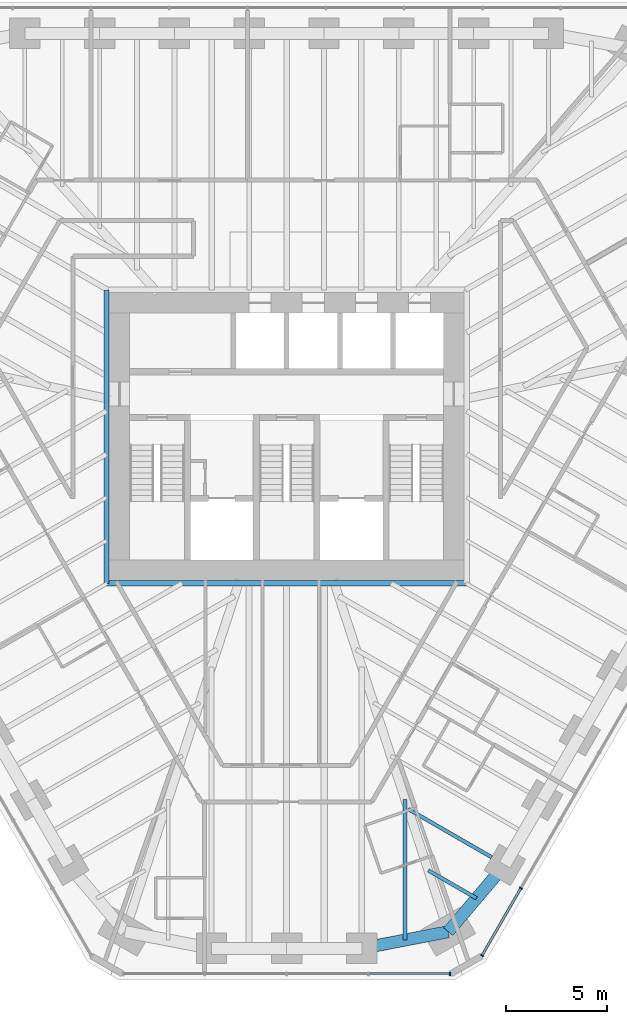
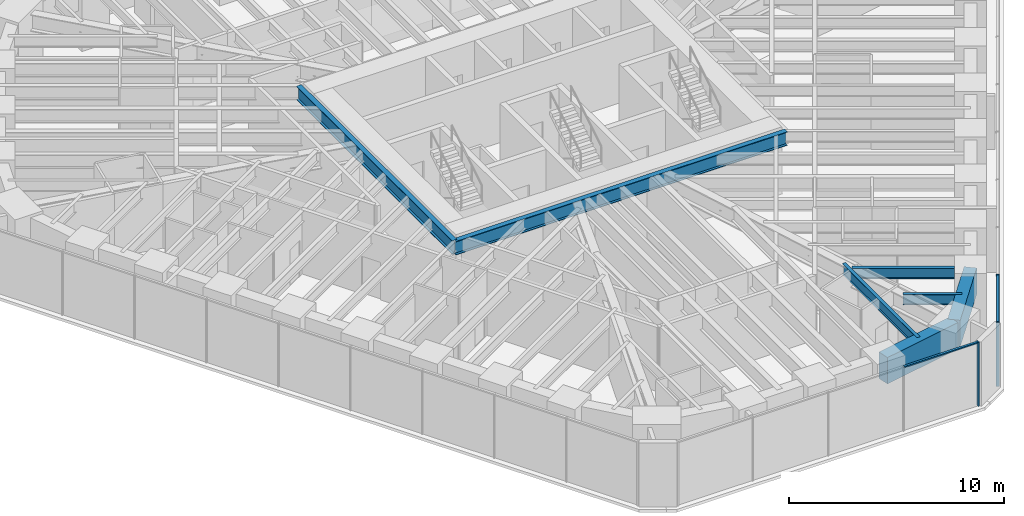
# One storey, part 4 of 16: 7 beams, 5 members, 2 elements without a shape of their own.
"""IFC4 building model written with IfcOpenShell, lengths in metres."""

from ifc_helpers import new_model, si_unit, direction, frame, origin, origin_2d, place, context, subcontext, project, spatial, rectangle, i_section, extrude, material, material_profile, profile_set, type_object, element, aggregate, save


model = new_model("IFC4")

# Units and contexts
model_context = context("Model", 3, precision=1e-05, world=origin(), true_north=direction((0.0, 1.0)))
body_context = subcontext(model_context, "Body", "Model", "MODEL_VIEW")
ifc_project = project(units=[si_unit("LENGTHUNIT", "METRE"), si_unit("AREAUNIT", "SQUARE_METRE"), si_unit("VOLUMEUNIT", "CUBIC_METRE"), si_unit("PLANEANGLEUNIT", "RADIAN"), si_unit("MASSUNIT", "GRAM", prefix="KILO")], contexts=[model_context])

# Site, building, storey
site_placement = place(None, origin())
site = spatial("IfcSite", under=ifc_project, at=site_placement, CompositionType="ELEMENT")
building_placement = place(site_placement, origin())
building = spatial("IfcBuilding", under=site, at=building_placement, Name="Sandreach Pilgrim Tower", CompositionType="ELEMENT")
storey_placement = place(building_placement, frame((0.0, 0.0, 225.0)))
storey = spatial("IfcBuildingStorey", under=building, at=storey_placement, Name="L56", CompositionType="ELEMENT", Elevation=225.0)

# Curtain wall, members
ifc_material_1 = material(Name="Aluminium framed curtain wall", Category="aluminium")
curtain_wall_type = type_object("IfcCurtainWallType", Name="Upper hotel tower curtain wall", PredefinedType="NOTDEFINED", material=ifc_material_1)
curtain_wall_1_placement = place(storey_placement, origin())
curtain_wall_1 = element("IfcCurtainWall", 1, at=curtain_wall_1_placement, inside=storey, type_object=curtain_wall_type, Name="CW-3 L56 SE", PredefinedType="NOTDEFINED")
ifc_material_2 = material(Name="Aluminium extrusion", Category="aluminium")
ifc_material_profile_1 = material_profile(ifc_material_2, rectangle(XDim=0.06494140625, YDim=0.159912109375, at=origin_2d()), Name="CW-3M 65X160")
ifc_profile_set_1 = profile_set([ifc_material_profile_1], Name="Aluminium extrusion")
member_type_1 = type_object("IfcMemberType", Name="CW-3 mullion", PredefinedType="MULLION", material=ifc_profile_set_1)
member_1_placement = place(storey_placement, frame((11.5625, -22.29345703125, 0.0), z_axis=(0.0, 0.0, 1.0), x_axis=(-0.5, -0.866025403784, 0.0)))
member_1 = element("IfcMember", 2, at=member_1_placement, type_object=member_type_1, Name="CW-3 mullion 9", PredefinedType="MULLION", context=body_context, shape_type="SweptSolid", body=[
    extrude(rectangle(XDim=0.06494140625, YDim=0.159912109375, at=origin_2d()), origin(), (0.0, 0.0, 1.0), 3.639892578125),
])
member_2_placement = place(storey_placement, frame((9.646484375, -25.612060546875, 0.0), z_axis=(0.0, 0.0, 1.0), x_axis=(-0.5, -0.866025403784, 0.0)))
member_2 = element("IfcMember", 3, at=member_2_placement, type_object=member_type_1, Name="CW-3 mullion 10", PredefinedType="MULLION", context=body_context, shape_type="SweptSolid", body=[
    extrude(rectangle(XDim=0.06494140625, YDim=0.159912109375, at=origin_2d()), origin(), (0.0, 0.0, 1.0), 3.639892578125),
])

# Curtain wall, member
curtain_wall_2_placement = place(storey_placement, origin())
curtain_wall_2 = element("IfcCurtainWall", 4, at=curtain_wall_2_placement, inside=storey, type_object=curtain_wall_type, Name="CW-3 L56 S", PredefinedType="NOTDEFINED")
member_3_placement = place(storey_placement, frame((8.06494140625, -26.525146484375, 0.0), z_axis=(0.0, 0.0, 1.0), x_axis=(-1.0, 0.0, 0.0)))
member_3 = element("IfcMember", 5, at=member_3_placement, type_object=member_type_1, Name="CW-3 mullion 1", PredefinedType="MULLION", context=body_context, shape_type="SweptSolid", body=[
    extrude(rectangle(XDim=0.06494140625, YDim=0.159912109375, at=origin_2d()), origin(), (0.0, 0.0, 1.0), 3.639892578125),
])

# Member
ifc_material_3 = material(Name="Aluminium extrusion", Category="aluminium")
ifc_material_profile_2 = material_profile(ifc_material_3, rectangle(XDim=0.1201171875, YDim=0.070068359375, at=origin_2d()), Name="CW-3T 120X70")
ifc_profile_set_2 = profile_set([ifc_material_profile_2], Name="Aluminium extrusion")
member_type_2 = type_object("IfcMemberType", Name="CW-3 transom", PredefinedType="USERDEFINED", material=ifc_profile_set_2)
member_4_placement = place(storey_placement, frame((11.546142578125, -22.321533203125, 3.60498046875), z_axis=(-0.499973055223, -0.8660409598, 0.0), x_axis=(0.8660409598, -0.499973055223, 0.0)))
member_4 = element("IfcMember", 6, at=member_4_placement, type_object=member_type_2, Name="CW-3 head transom 9", ObjectType="TRANSOM", PredefinedType="USERDEFINED", context=body_context, shape_type="SweptSolid", body=[
    extrude(rectangle(XDim=0.1201171875, YDim=0.070068359375, at=origin_2d()), origin(), (0.0, 0.0, 1.0), 3.766845703125),
])

aggregate(curtain_wall_1, [member_1, member_2, member_4])

member_5_placement = place(storey_placement, frame((8.032470703125, -26.525146484375, 3.60498046875), z_axis=(-1.0, 0.0, 0.0), x_axis=(0.0, -1.0, 0.0)))
member_5 = element("IfcMember", 7, at=member_5_placement, type_object=member_type_2, Name="CW-3 head transom 1", ObjectType="TRANSOM", PredefinedType="USERDEFINED", context=body_context, shape_type="SweptSolid", body=[
    extrude(rectangle(XDim=0.1201171875, YDim=0.070068359375, at=origin_2d()), origin(), (0.0, 0.0, 1.0), 3.951171875),
])

aggregate(curtain_wall_2, [member_3, member_5])

# Beams
ifc_material_4 = material(Name="Steel ASTM A992 Grade 50", Category="steel")
ifc_material_profile_3 = material_profile(ifc_material_4, i_section(OverallWidth=0.2666015625, OverallDepth=0.77978515625, WebThickness=0.0166015625, FlangeThickness=0.030029296875, at=origin_2d()), Name="W30X148")
ifc_profile_set_3 = profile_set([ifc_material_profile_3], Name="Steel ASTM A992 Grade 50")
beam_type_1 = type_object("IfcBeamType", Name="Core edge beam W30X148", PredefinedType="BEAM", material=ifc_profile_set_3)
beam_1_placement = place(storey_placement, frame((8.893310546875, -7.243408203125, 3.25), z_axis=(-1.0, 0.0, 0.0), x_axis=(0.0, -1.0, 0.0)))
element("IfcBeam", 8, at=beam_1_placement, inside=storey, type_object=beam_type_1, Name="BM L56 CES", PredefinedType="BEAM", context=body_context, shape_type="SweptSolid", body=[
    extrude(i_section(OverallWidth=0.2666015625, OverallDepth=0.77978515625, WebThickness=0.0166015625, FlangeThickness=0.030029296875, at=origin_2d()), origin(), (0.0, 0.0, 1.0), 17.78662109375),
])
beam_2_placement = place(storey_placement, frame((-8.893310546875, -7.243408203125, 3.25), z_axis=(0.0, 1.0, 0.0), x_axis=(-1.0, 0.0, 0.0)))
element("IfcBeam", 9, at=beam_2_placement, inside=storey, type_object=beam_type_1, Name="BM L56 CEW", PredefinedType="BEAM", context=body_context, shape_type="SweptSolid", body=[
    extrude(i_section(OverallWidth=0.2666015625, OverallDepth=0.77978515625, WebThickness=0.0166015625, FlangeThickness=0.030029296875, at=origin_2d()), origin(), (0.0, 0.0, 1.0), 14.48681640625),
])
ifc_material_5 = material(Name="Steel ASTM A992 Grade 50", Category="steel")
ifc_material_profile_4 = material_profile(ifc_material_5, i_section(OverallWidth=0.1787109375, OverallDepth=0.60205078125, WebThickness=0.010986328125, FlangeThickness=0.014892578125, at=origin_2d()), Name="W24X62")
ifc_profile_set_4 = profile_set([ifc_material_profile_4], Name="Steel ASTM A992 Grade 50")
beam_type_2 = type_object("IfcBeamType", Name="Floor beam W24X62", PredefinedType="BEAM", material=ifc_profile_set_4)
beam_3_placement = place(storey_placement, frame((10.12255859375, -20.767333984375, 3.339111328125), z_axis=(-0.86603347311, 0.499986023258, 0.0), x_axis=(-0.499986023258, -0.86603347311, 0.0)))
element("IfcBeam", 10, at=beam_3_placement, inside=storey, type_object=beam_type_2, Name="BM L56 F21", PredefinedType="BEAM", context=body_context, shape_type="SweptSolid", body=[
    extrude(i_section(OverallWidth=0.1787109375, OverallDepth=0.60205078125, WebThickness=0.010986328125, FlangeThickness=0.014892578125, at=origin_2d()), origin(), (0.0, 0.0, 1.0), 4.757568359375),
])
beam_4_placement = place(storey_placement, frame((9.375244140625, -22.7919921875, 3.339111328125), z_axis=(-0.866046803606, 0.49996293259, 0.0), x_axis=(-0.49996293259, -0.866046803606, 0.0)))
element("IfcBeam", 11, at=beam_4_placement, inside=storey, type_object=beam_type_2, Name="BM L56 FM21", PredefinedType="BEAM", context=body_context, shape_type="SweptSolid", body=[
    extrude(i_section(OverallWidth=0.1787109375, OverallDepth=0.60205078125, WebThickness=0.010986328125, FlangeThickness=0.014892578125, at=origin_2d()), origin(), (0.0, 0.0, 1.0), 2.753662109375),
])
beam_5_placement = place(storey_placement, frame((5.844482421875, -24.853515625, 3.339111328125), z_axis=(0.0, 1.0, 0.0), x_axis=(-1.0, 0.0, 0.0)))
element("IfcBeam", 12, at=beam_5_placement, inside=storey, type_object=beam_type_2, Name="BM L56 FM22", PredefinedType="BEAM", context=body_context, shape_type="SweptSolid", body=[
    extrude(i_section(OverallWidth=0.1787109375, OverallDepth=0.60205078125, WebThickness=0.010986328125, FlangeThickness=0.014892578125, at=origin_2d()), origin(), (0.0, 0.0, 1.0), 6.94921875),
])
ifc_material_6 = material(Name="Concrete 10000 psi", Category="concrete")
ifc_material_profile_5 = material_profile(ifc_material_6, rectangle(XDim=0.60009765625, YDim=1.5, at=origin_2d()), Name="RC600X1500")
ifc_profile_set_5 = profile_set([ifc_material_profile_5], Name="Concrete 10000 psi")
beam_type_3 = type_object("IfcBeamType", Name="Spandrel beam RC600X1500", PredefinedType="SPANDREL", material=ifc_profile_set_5)
beam_6_placement = place(storey_placement, frame((10.772216796875, -21.142333984375, 2.889892578125), z_axis=(-0.646180160755, -0.76318490541, 0.0), x_axis=(0.76318490541, -0.646180160755, 0.0)))
element("IfcBeam", 13, at=beam_6_placement, inside=storey, type_object=beam_type_3, Name="BM L56 SP21", PredefinedType="SPANDREL", context=body_context, shape_type="SweptSolid", body=[
    extrude(rectangle(XDim=0.60009765625, YDim=1.5, at=origin_2d()), origin(), (0.0, 0.0, 1.0), 4.323486328125),
])
beam_7_placement = place(storey_placement, frame((7.978515625, -24.44189453125, 2.889892578125), z_axis=(-0.981901333807, -0.18939316426, 0.0), x_axis=(0.18939316426, -0.981901333807, 0.0)))
element("IfcBeam", 14, at=beam_7_placement, inside=storey, type_object=beam_type_3, Name="BM L56 SP22", PredefinedType="SPANDREL", context=body_context, shape_type="SweptSolid", body=[
    extrude(rectangle(XDim=0.60009765625, YDim=1.5, at=origin_2d()), origin(), (0.0, 0.0, 1.0), 4.3466796875),
])

save(model, "model.ifc")
